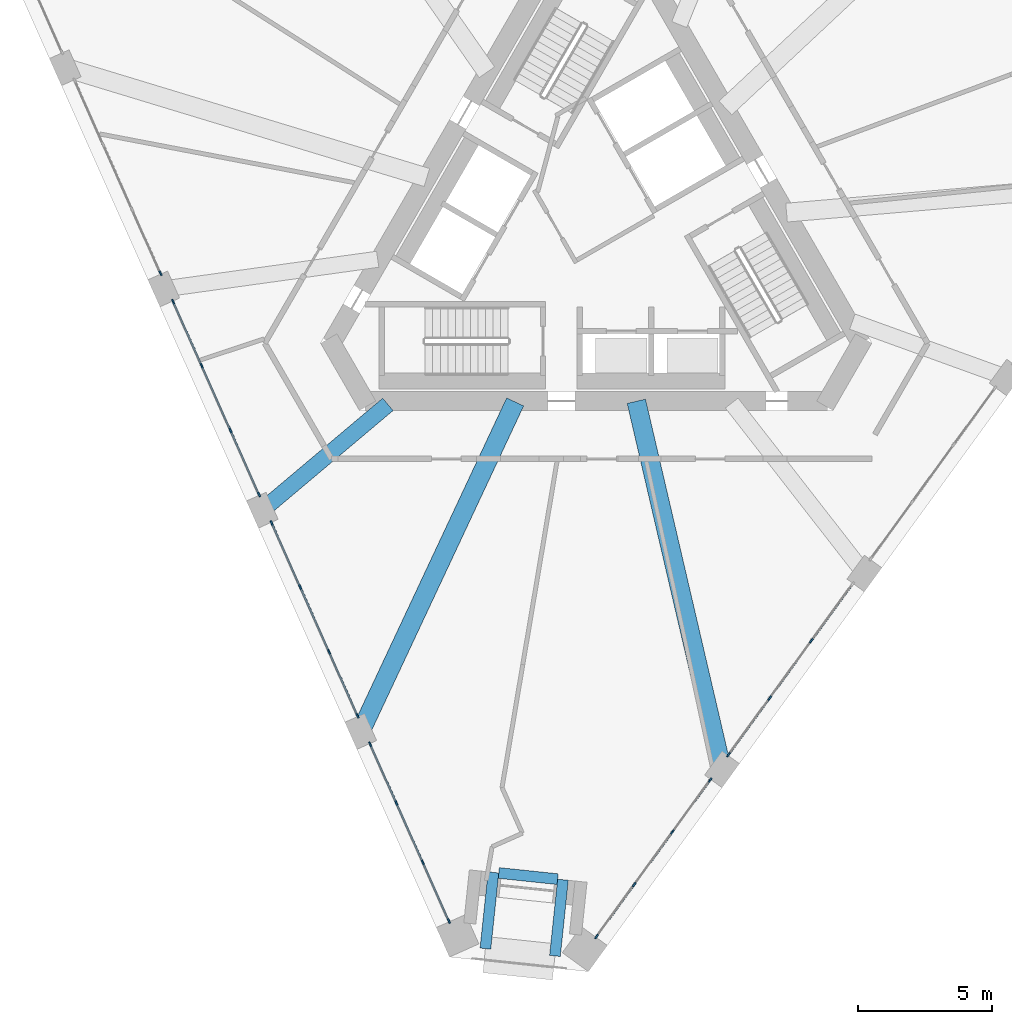
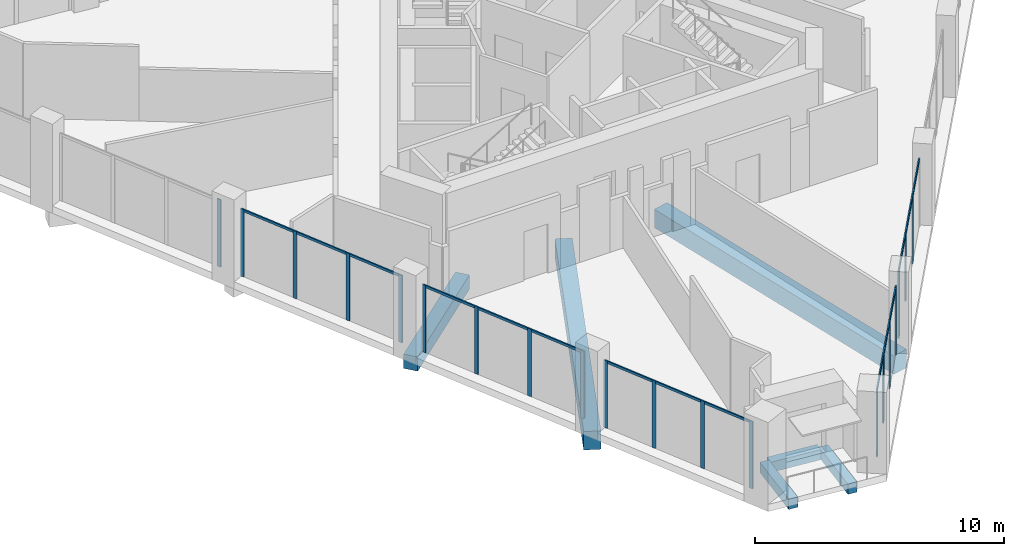
# One storey, part 2 of 15: 35 members, 6 beams, 6 elements without a shape of their own.
"""IFC4 building model written with IfcOpenShell, lengths in metres."""

from ifc_helpers import new_model, si_unit, direction, frame, origin, origin_2d, place, context, subcontext, project, spatial, rectangle, extrude, material, layer, layer_set, material_profile, profile_set, type_object, element, aggregate, save


model = new_model("IFC4")

# Units and contexts
model_context = context("Model", 3, precision=1e-05, world=origin(), true_north=direction((0.0, 1.0)))
body_context = subcontext(model_context, "Body", "Model", "MODEL_VIEW")
ifc_project = project(units=[si_unit("LENGTHUNIT", "METRE"), si_unit("AREAUNIT", "SQUARE_METRE"), si_unit("VOLUMEUNIT", "CUBIC_METRE"), si_unit("PLANEANGLEUNIT", "RADIAN"), si_unit("MASSUNIT", "GRAM", prefix="KILO")], contexts=[model_context])

# Site, building, storey
site_placement = place(None, origin())
site = spatial("IfcSite", under=ifc_project, at=site_placement, CompositionType="ELEMENT")
building_placement = place(site_placement, origin())
building = spatial("IfcBuilding", under=site, at=building_placement, Name="Tramontana Tower", CompositionType="ELEMENT")
storey_placement = place(building_placement, frame((0.0, 0.0, 237.199951171875)))
storey = spatial("IfcBuildingStorey", under=building, at=storey_placement, Name="L55", CompositionType="ELEMENT", Elevation=237.199951171875)

# Curtain wall, member
ifc_material_1 = material(Name="Aluminum extrusion", Category="aluminium")
ifc_layer = layer(ifc_material_1, 0.14990234375)
ifc_layer_set = layer_set([ifc_layer], Name="CW4 Sky lobby 2 curtain wall")
curtain_wall_type = type_object("IfcCurtainWallType", Name="CW4 Sky lobby 2 curtain wall", PredefinedType="NOTDEFINED", material=ifc_layer_set)
curtain_wall_1_placement = place(storey_placement, origin())
curtain_wall_1 = element("IfcCurtainWall", 1, at=curtain_wall_1_placement, inside=storey, type_object=curtain_wall_type, Name="CW4 curtain wall L55 face 0 bay 2", PredefinedType="NOTDEFINED")
ifc_material_2 = material(Name="Aluminum extrusion", Category="aluminium")
ifc_material_profile_1 = material_profile(ifc_material_2, rectangle(XDim=0.06005859375, YDim=0.179931640625, at=origin_2d()), Name="CW4-M Mullion 60 x 180")
ifc_profile_set_1 = profile_set([ifc_material_profile_1], Name="Aluminum extrusion")
member_type_1 = type_object("IfcMemberType", Name="CW4-M Mullion 60 x 180", PredefinedType="MULLION", material=ifc_profile_set_1)
member_1_placement = place(storey_placement, frame((-16.20458984375, -1.650390625, 0.0), z_axis=(0.0, 0.0, 1.0), x_axis=(0.913545457643, 0.406736643076, 0.0)))
member_1 = element("IfcMember", 2, at=member_1_placement, type_object=member_type_1, Name="CW4 curtain wall L55 face 0 bay 2 mullion 4", PredefinedType="MULLION", context=body_context, shape_type="SweptSolid", body=[
    extrude(rectangle(XDim=0.06005859375, YDim=0.179931640625, at=origin_2d()), origin(), (0.0, 0.0, 1.0), 3.300048828125),
])
aggregate(curtain_wall_1, [member_1])

# Curtain wall, members
curtain_wall_2_placement = place(storey_placement, origin())
curtain_wall_2 = element("IfcCurtainWall", 3, at=curtain_wall_2_placement, inside=storey, type_object=curtain_wall_type, Name="CW4 curtain wall L55 face 0 bay 3", PredefinedType="NOTDEFINED")
member_2_placement = place(storey_placement, frame((-15.73291015625, -2.710205078125, 0.0), z_axis=(0.0, 0.0, 1.0), x_axis=(0.913545457643, 0.406736643076, 0.0)))
member_2 = element("IfcMember", 4, at=member_2_placement, type_object=member_type_1, Name="CW4 curtain wall L55 face 0 bay 3 mullion 1", PredefinedType="MULLION", context=body_context, shape_type="SweptSolid", body=[
    extrude(rectangle(XDim=0.06005859375, YDim=0.179931640625, at=origin_2d()), origin(), (0.0, 0.0, 1.0), 3.300048828125),
])
member_3_placement = place(storey_placement, frame((-14.673095703125, -5.09033203125, 0.0), z_axis=(0.0, 0.0, 1.0), x_axis=(0.913545457643, 0.406736643076, 0.0)))
member_3 = element("IfcMember", 5, at=member_3_placement, type_object=member_type_1, Name="CW4 curtain wall L55 face 0 bay 3 mullion 2", PredefinedType="MULLION", context=body_context, shape_type="SweptSolid", body=[
    extrude(rectangle(XDim=0.06005859375, YDim=0.179931640625, at=origin_2d()), origin(), (0.0, 0.0, 1.0), 3.300048828125),
])
member_4_placement = place(storey_placement, frame((-13.60107421875, -7.498046875, 0.0), z_axis=(0.0, 0.0, 1.0), x_axis=(0.913545457643, 0.406736643076, 0.0)))
member_4 = element("IfcMember", 6, at=member_4_placement, type_object=member_type_1, Name="CW4 curtain wall L55 face 0 bay 3 mullion 3", PredefinedType="MULLION", context=body_context, shape_type="SweptSolid", body=[
    extrude(rectangle(XDim=0.06005859375, YDim=0.179931640625, at=origin_2d()), origin(), (0.0, 0.0, 1.0), 3.300048828125),
])
member_5_placement = place(storey_placement, frame((-12.541259765625, -9.87841796875, 0.0), z_axis=(0.0, 0.0, 1.0), x_axis=(0.913545457643, 0.406736643076, 0.0)))
member_5 = element("IfcMember", 7, at=member_5_placement, type_object=member_type_1, Name="CW4 curtain wall L55 face 0 bay 3 mullion 4", PredefinedType="MULLION", context=body_context, shape_type="SweptSolid", body=[
    extrude(rectangle(XDim=0.06005859375, YDim=0.179931640625, at=origin_2d()), origin(), (0.0, 0.0, 1.0), 3.300048828125),
])

curtain_wall_3_placement = place(storey_placement, origin())
curtain_wall_3 = element("IfcCurtainWall", 8, at=curtain_wall_3_placement, inside=storey, type_object=curtain_wall_type, Name="CW4 curtain wall L55 face 0 bay 4", PredefinedType="NOTDEFINED")
member_6_placement = place(storey_placement, frame((-12.069580078125, -10.93798828125, 0.0), z_axis=(0.0, 0.0, 1.0), x_axis=(0.913545457643, 0.406736643076, 0.0)))
member_6 = element("IfcMember", 9, at=member_6_placement, type_object=member_type_1, Name="CW4 curtain wall L55 face 0 bay 4 mullion 1", PredefinedType="MULLION", context=body_context, shape_type="SweptSolid", body=[
    extrude(rectangle(XDim=0.06005859375, YDim=0.179931640625, at=origin_2d()), origin(), (0.0, 0.0, 1.0), 3.300048828125),
])
member_7_placement = place(storey_placement, frame((-11.009765625, -13.318359375, 0.0), z_axis=(0.0, 0.0, 1.0), x_axis=(0.913545457643, 0.406736643076, 0.0)))
member_7 = element("IfcMember", 10, at=member_7_placement, type_object=member_type_1, Name="CW4 curtain wall L55 face 0 bay 4 mullion 2", PredefinedType="MULLION", context=body_context, shape_type="SweptSolid", body=[
    extrude(rectangle(XDim=0.06005859375, YDim=0.179931640625, at=origin_2d()), origin(), (0.0, 0.0, 1.0), 3.300048828125),
])
member_8_placement = place(storey_placement, frame((-9.937744140625, -15.72607421875, 0.0), z_axis=(0.0, 0.0, 1.0), x_axis=(0.913545457643, 0.406736643076, 0.0)))
member_8 = element("IfcMember", 11, at=member_8_placement, type_object=member_type_1, Name="CW4 curtain wall L55 face 0 bay 4 mullion 3", PredefinedType="MULLION", context=body_context, shape_type="SweptSolid", body=[
    extrude(rectangle(XDim=0.06005859375, YDim=0.179931640625, at=origin_2d()), origin(), (0.0, 0.0, 1.0), 3.300048828125),
])
member_9_placement = place(storey_placement, frame((-8.8779296875, -18.1064453125, 0.0), z_axis=(0.0, 0.0, 1.0), x_axis=(0.913545457643, 0.406736643076, 0.0)))
member_9 = element("IfcMember", 12, at=member_9_placement, type_object=member_type_1, Name="CW4 curtain wall L55 face 0 bay 4 mullion 4", PredefinedType="MULLION", context=body_context, shape_type="SweptSolid", body=[
    extrude(rectangle(XDim=0.06005859375, YDim=0.179931640625, at=origin_2d()), origin(), (0.0, 0.0, 1.0), 3.300048828125),
])

curtain_wall_4_placement = place(storey_placement, origin())
curtain_wall_4 = element("IfcCurtainWall", 13, at=curtain_wall_4_placement, inside=storey, type_object=curtain_wall_type, Name="CW4 curtain wall L55 face 0 bay 5", PredefinedType="NOTDEFINED")
member_10_placement = place(storey_placement, frame((-8.40625, -19.166015625, 0.0), z_axis=(0.0, 0.0, 1.0), x_axis=(0.913545457643, 0.406736643076, 0.0)))
member_10 = element("IfcMember", 14, at=member_10_placement, type_object=member_type_1, Name="CW4 curtain wall L55 face 0 bay 5 mullion 1", PredefinedType="MULLION", context=body_context, shape_type="SweptSolid", body=[
    extrude(rectangle(XDim=0.06005859375, YDim=0.179931640625, at=origin_2d()), origin(), (0.0, 0.0, 1.0), 3.300048828125),
])
member_11_placement = place(storey_placement, frame((-7.4345703125, -21.348388671875, 0.0), z_axis=(0.0, 0.0, 1.0), x_axis=(0.913545457643, 0.406736643076, 0.0)))
member_11 = element("IfcMember", 15, at=member_11_placement, type_object=member_type_1, Name="CW4 curtain wall L55 face 0 bay 5 mullion 2", PredefinedType="MULLION", context=body_context, shape_type="SweptSolid", body=[
    extrude(rectangle(XDim=0.06005859375, YDim=0.179931640625, at=origin_2d()), origin(), (0.0, 0.0, 1.0), 3.300048828125),
])
member_12_placement = place(storey_placement, frame((-6.45068359375, -23.55810546875, 0.0), z_axis=(0.0, 0.0, 1.0), x_axis=(0.913545457643, 0.406736643076, 0.0)))
member_12 = element("IfcMember", 16, at=member_12_placement, type_object=member_type_1, Name="CW4 curtain wall L55 face 0 bay 5 mullion 3", PredefinedType="MULLION", context=body_context, shape_type="SweptSolid", body=[
    extrude(rectangle(XDim=0.06005859375, YDim=0.179931640625, at=origin_2d()), origin(), (0.0, 0.0, 1.0), 3.300048828125),
])
member_13_placement = place(storey_placement, frame((-5.47900390625, -25.740478515625, 0.0), z_axis=(0.0, 0.0, 1.0), x_axis=(0.913545457643, 0.406736643076, 0.0)))
member_13 = element("IfcMember", 17, at=member_13_placement, type_object=member_type_1, Name="CW4 curtain wall L55 face 0 bay 5 mullion 4", PredefinedType="MULLION", context=body_context, shape_type="SweptSolid", body=[
    extrude(rectangle(XDim=0.06005859375, YDim=0.179931640625, at=origin_2d()), origin(), (0.0, 0.0, 1.0), 3.300048828125),
])

curtain_wall_5_placement = place(storey_placement, origin())
curtain_wall_5 = element("IfcCurtainWall", 18, at=curtain_wall_5_placement, inside=storey, type_object=curtain_wall_type, Name="CW4 curtain wall L55 face 1 bay 1", PredefinedType="NOTDEFINED")
member_14_placement = place(storey_placement, frame((0.007568359375, -26.317138671875, 0.0), z_axis=(0.0, 0.0, 1.0), x_axis=(-0.809016994375, 0.587785252292, 0.0)))
member_14 = element("IfcMember", 19, at=member_14_placement, type_object=member_type_1, Name="CW4 curtain wall L55 face 1 bay 1 mullion 1", PredefinedType="MULLION", context=body_context, shape_type="SweptSolid", body=[
    extrude(rectangle(XDim=0.06005859375, YDim=0.179931640625, at=origin_2d()), origin(), (0.0, 0.0, 1.0), 3.300048828125),
])
member_15_placement = place(storey_placement, frame((1.41162109375, -24.384521484375, 0.0), z_axis=(0.0, 0.0, 1.0), x_axis=(-0.809016994375, 0.587785252292, 0.0)))
member_15 = element("IfcMember", 20, at=member_15_placement, type_object=member_type_1, Name="CW4 curtain wall L55 face 1 bay 1 mullion 2", PredefinedType="MULLION", context=body_context, shape_type="SweptSolid", body=[
    extrude(rectangle(XDim=0.06005859375, YDim=0.179931640625, at=origin_2d()), origin(), (0.0, 0.0, 1.0), 3.300048828125),
])
member_16_placement = place(storey_placement, frame((2.83349609375, -22.427734375, 0.0), z_axis=(0.0, 0.0, 1.0), x_axis=(-0.809016994375, 0.587785252292, 0.0)))
member_16 = element("IfcMember", 21, at=member_16_placement, type_object=member_type_1, Name="CW4 curtain wall L55 face 1 bay 1 mullion 3", PredefinedType="MULLION", context=body_context, shape_type="SweptSolid", body=[
    extrude(rectangle(XDim=0.06005859375, YDim=0.179931640625, at=origin_2d()), origin(), (0.0, 0.0, 1.0), 3.300048828125),
])
member_17_placement = place(storey_placement, frame((4.237548828125, -20.4951171875, 0.0), z_axis=(0.0, 0.0, 1.0), x_axis=(-0.809016994375, 0.587785252292, 0.0)))
member_17 = element("IfcMember", 22, at=member_17_placement, type_object=member_type_1, Name="CW4 curtain wall L55 face 1 bay 1 mullion 4", PredefinedType="MULLION", context=body_context, shape_type="SweptSolid", body=[
    extrude(rectangle(XDim=0.06005859375, YDim=0.179931640625, at=origin_2d()), origin(), (0.0, 0.0, 1.0), 3.300048828125),
])

curtain_wall_6_placement = place(storey_placement, origin())
curtain_wall_6 = element("IfcCurtainWall", 23, at=curtain_wall_6_placement, inside=storey, type_object=curtain_wall_type, Name="CW4 curtain wall L55 face 1 bay 2", PredefinedType="NOTDEFINED")
member_18_placement = place(storey_placement, frame((4.91943359375, -19.556640625, 0.0), z_axis=(0.0, 0.0, 1.0), x_axis=(-0.809016994375, 0.587785252292, 0.0)))
member_18 = element("IfcMember", 24, at=member_18_placement, type_object=member_type_1, Name="CW4 curtain wall L55 face 1 bay 2 mullion 1", PredefinedType="MULLION", context=body_context, shape_type="SweptSolid", body=[
    extrude(rectangle(XDim=0.06005859375, YDim=0.179931640625, at=origin_2d()), origin(), (0.0, 0.0, 1.0), 3.300048828125),
])
member_19_placement = place(storey_placement, frame((6.450927734375, -17.44873046875, 0.0), z_axis=(0.0, 0.0, 1.0), x_axis=(-0.809016994375, 0.587785252292, 0.0)))
member_19 = element("IfcMember", 25, at=member_19_placement, type_object=member_type_1, Name="CW4 curtain wall L55 face 1 bay 2 mullion 2", PredefinedType="MULLION", context=body_context, shape_type="SweptSolid", body=[
    extrude(rectangle(XDim=0.06005859375, YDim=0.179931640625, at=origin_2d()), origin(), (0.0, 0.0, 1.0), 3.300048828125),
])
member_20_placement = place(storey_placement, frame((8.000244140625, -15.31640625, 0.0), z_axis=(0.0, 0.0, 1.0), x_axis=(-0.809016994375, 0.587785252292, 0.0)))
member_20 = element("IfcMember", 26, at=member_20_placement, type_object=member_type_1, Name="CW4 curtain wall L55 face 1 bay 2 mullion 3", PredefinedType="MULLION", context=body_context, shape_type="SweptSolid", body=[
    extrude(rectangle(XDim=0.06005859375, YDim=0.179931640625, at=origin_2d()), origin(), (0.0, 0.0, 1.0), 3.300048828125),
])

# Member
ifc_material_3 = material(Name="Aluminum extrusion", Category="aluminium")
ifc_material_profile_2 = material_profile(ifc_material_3, rectangle(XDim=0.06005859375, YDim=0.1201171875, at=origin_2d()), Name="CW4-T Transom 60 x 120")
ifc_profile_set_2 = profile_set([ifc_material_profile_2], Name="Aluminum extrusion")
member_type_2 = type_object("IfcMemberType", Name="CW4-T Transom 60 x 120", PredefinedType="USERDEFINED", material=ifc_profile_set_2)
member_21_placement = place(storey_placement, frame((-15.720703125, -2.737548828125, 3.239990234375), z_axis=(0.406752393228, -0.91353844506, 0.0), x_axis=(0.91353844506, 0.406752393228, 0.0)))
member_21 = element("IfcMember", 27, at=member_21_placement, type_object=member_type_2, Name="CW4 curtain wall L55 face 0 bay 3 transom 1.1", ObjectType="TRANSOM", PredefinedType="USERDEFINED", context=body_context, shape_type="SweptSolid", body=[
    extrude(rectangle(XDim=0.06005859375, YDim=0.1201171875, at=origin_2d()), origin(), (0.0, 0.0, 1.0), 2.54541015625),
])

member_22_placement = place(storey_placement, frame((-14.660888671875, -5.117919921875, 3.239990234375), z_axis=(0.406762841657, -0.913533792833, 0.0), x_axis=(0.913533792833, 0.406762841657, 0.0)))
member_22 = element("IfcMember", 28, at=member_22_placement, type_object=member_type_2, Name="CW4 curtain wall L55 face 0 bay 3 transom 2.1", ObjectType="TRANSOM", PredefinedType="USERDEFINED", context=body_context, shape_type="SweptSolid", body=[
    extrude(rectangle(XDim=0.06005859375, YDim=0.1201171875, at=origin_2d()), origin(), (0.0, 0.0, 1.0), 2.575439453125),
])

member_23_placement = place(storey_placement, frame((-13.5888671875, -7.525390625, 3.239990234375), z_axis=(0.406716757593, -0.913554310971, 0.0), x_axis=(0.913554310971, 0.406716757593, 0.0)))
member_23 = element("IfcMember", 29, at=member_23_placement, type_object=member_type_2, Name="CW4 curtain wall L55 face 0 bay 3 transom 3.1", ObjectType="TRANSOM", PredefinedType="USERDEFINED", context=body_context, shape_type="SweptSolid", body=[
    extrude(rectangle(XDim=0.06005859375, YDim=0.1201171875, at=origin_2d()), origin(), (0.0, 0.0, 1.0), 2.545654296875),
])

aggregate(curtain_wall_2, [member_2, member_3, member_4, member_5, member_21, member_22, member_23])

member_24_placement = place(storey_placement, frame((-12.057373046875, -10.965576171875, 3.239990234375), z_axis=(0.406752393228, -0.91353844506, 0.0), x_axis=(0.91353844506, 0.406752393228, 0.0)))
member_24 = element("IfcMember", 30, at=member_24_placement, type_object=member_type_2, Name="CW4 curtain wall L55 face 0 bay 4 transom 1.1", ObjectType="TRANSOM", PredefinedType="USERDEFINED", context=body_context, shape_type="SweptSolid", body=[
    extrude(rectangle(XDim=0.06005859375, YDim=0.1201171875, at=origin_2d()), origin(), (0.0, 0.0, 1.0), 2.54541015625),
])

member_25_placement = place(storey_placement, frame((-10.99755859375, -13.345703125, 3.239990234375), z_axis=(0.406727619595, -0.913549475102, 0.0), x_axis=(0.913549475102, 0.406727619595, 0.0)))
member_25 = element("IfcMember", 31, at=member_25_placement, type_object=member_type_2, Name="CW4 curtain wall L55 face 0 bay 4 transom 2.1", ObjectType="TRANSOM", PredefinedType="USERDEFINED", context=body_context, shape_type="SweptSolid", body=[
    extrude(rectangle(XDim=0.06005859375, YDim=0.1201171875, at=origin_2d()), origin(), (0.0, 0.0, 1.0), 2.57568359375),
])

member_26_placement = place(storey_placement, frame((-9.925537109375, -15.75341796875, 3.239990234375), z_axis=(0.406716757593, -0.913554310971, 0.0), x_axis=(0.913554310971, 0.406716757593, 0.0)))
member_26 = element("IfcMember", 32, at=member_26_placement, type_object=member_type_2, Name="CW4 curtain wall L55 face 0 bay 4 transom 3.1", ObjectType="TRANSOM", PredefinedType="USERDEFINED", context=body_context, shape_type="SweptSolid", body=[
    extrude(rectangle(XDim=0.06005859375, YDim=0.1201171875, at=origin_2d()), origin(), (0.0, 0.0, 1.0), 2.545654296875),
])

aggregate(curtain_wall_3, [member_6, member_7, member_8, member_9, member_24, member_25, member_26])

member_27_placement = place(storey_placement, frame((-8.39404296875, -19.193603515625, 3.239990234375), z_axis=(0.406760898853, -0.913534657889, 0.0), x_axis=(0.913534657889, 0.406760898853, 0.0)))
member_27 = element("IfcMember", 33, at=member_27_placement, type_object=member_type_2, Name="CW4 curtain wall L55 face 0 bay 5 transom 1.1", ObjectType="TRANSOM", PredefinedType="USERDEFINED", context=body_context, shape_type="SweptSolid", body=[
    extrude(rectangle(XDim=0.06005859375, YDim=0.1201171875, at=origin_2d()), origin(), (0.0, 0.0, 1.0), 2.328857421875),
])

member_28_placement = place(storey_placement, frame((-7.42236328125, -21.3759765625, 3.239990234375), z_axis=(0.406772199281, -0.913529626171, 0.0), x_axis=(0.913529626171, 0.406772199281, 0.0)))
member_28 = element("IfcMember", 34, at=member_28_placement, type_object=member_type_2, Name="CW4 curtain wall L55 face 0 bay 5 transom 2.1", ObjectType="TRANSOM", PredefinedType="USERDEFINED", context=body_context, shape_type="SweptSolid", body=[
    extrude(rectangle(XDim=0.06005859375, YDim=0.1201171875, at=origin_2d()), origin(), (0.0, 0.0, 1.0), 2.358642578125),
])

member_29_placement = place(storey_placement, frame((-6.4384765625, -23.585693359375, 3.239990234375), z_axis=(0.406760898853, -0.913534657889, 0.0), x_axis=(0.913534657889, 0.406760898853, 0.0)))
member_29 = element("IfcMember", 35, at=member_29_placement, type_object=member_type_2, Name="CW4 curtain wall L55 face 0 bay 5 transom 3.1", ObjectType="TRANSOM", PredefinedType="USERDEFINED", context=body_context, shape_type="SweptSolid", body=[
    extrude(rectangle(XDim=0.06005859375, YDim=0.1201171875, at=origin_2d()), origin(), (0.0, 0.0, 1.0), 2.328857421875),
])

aggregate(curtain_wall_4, [member_10, member_11, member_12, member_13, member_27, member_28, member_29])

member_30_placement = place(storey_placement, frame((0.025146484375, -26.29296875, 3.239990234375), z_axis=(0.587803868086, 0.809003468882, 0.0), x_axis=(-0.809003468882, 0.587803868086, 0.0)))
member_30 = element("IfcMember", 36, at=member_30_placement, type_object=member_type_2, Name="CW4 curtain wall L55 face 1 bay 1 transom 1.1", ObjectType="TRANSOM", PredefinedType="USERDEFINED", context=body_context, shape_type="SweptSolid", body=[
    extrude(rectangle(XDim=0.06005859375, YDim=0.1201171875, at=origin_2d()), origin(), (0.0, 0.0, 1.0), 2.328857421875),
])

member_31_placement = place(storey_placement, frame((1.429443359375, -24.3603515625, 3.239990234375), z_axis=(0.587759311673, 0.809035840703, 0.0), x_axis=(-0.809035840703, 0.587759311673, 0.0)))
member_31 = element("IfcMember", 37, at=member_31_placement, type_object=member_type_2, Name="CW4 curtain wall L55 face 1 bay 1 transom 2.1", ObjectType="TRANSOM", PredefinedType="USERDEFINED", context=body_context, shape_type="SweptSolid", body=[
    extrude(rectangle(XDim=0.06005859375, YDim=0.1201171875, at=origin_2d()), origin(), (0.0, 0.0, 1.0), 2.35888671875),
])

member_32_placement = place(storey_placement, frame((2.85107421875, -22.4033203125, 3.239990234375), z_axis=(0.587803868086, 0.809003468882, 0.0), x_axis=(-0.809003468882, 0.587803868086, 0.0)))
member_32 = element("IfcMember", 38, at=member_32_placement, type_object=member_type_2, Name="CW4 curtain wall L55 face 1 bay 1 transom 3.1", ObjectType="TRANSOM", PredefinedType="USERDEFINED", context=body_context, shape_type="SweptSolid", body=[
    extrude(rectangle(XDim=0.06005859375, YDim=0.1201171875, at=origin_2d()), origin(), (0.0, 0.0, 1.0), 2.328857421875),
])

aggregate(curtain_wall_5, [member_14, member_15, member_16, member_17, member_30, member_31, member_32])

member_33_placement = place(storey_placement, frame((4.93701171875, -19.5322265625, 3.239990234375), z_axis=(0.587823780198, 0.808989000811, 0.0), x_axis=(-0.808989000811, 0.587823780198, 0.0)))
member_33 = element("IfcMember", 39, at=member_33_placement, type_object=member_type_2, Name="CW4 curtain wall L55 face 1 bay 2 transom 1.1", ObjectType="TRANSOM", PredefinedType="USERDEFINED", context=body_context, shape_type="SweptSolid", body=[
    extrude(rectangle(XDim=0.06005859375, YDim=0.1201171875, at=origin_2d()), origin(), (0.0, 0.0, 1.0), 2.545654296875),
])

member_34_placement = place(storey_placement, frame((6.468505859375, -17.42431640625, 3.239990234375), z_axis=(0.587782741134, 0.809018818832, 0.0), x_axis=(-0.809018818832, 0.587782741134, 0.0)))
member_34 = element("IfcMember", 40, at=member_34_placement, type_object=member_type_2, Name="CW4 curtain wall L55 face 1 bay 2 transom 2.1", ObjectType="TRANSOM", PredefinedType="USERDEFINED", context=body_context, shape_type="SweptSolid", body=[
    extrude(rectangle(XDim=0.06005859375, YDim=0.1201171875, at=origin_2d()), origin(), (0.0, 0.0, 1.0), 2.57568359375),
])

member_35_placement = place(storey_placement, frame((8.017822265625, -15.292236328125, 3.239990234375), z_axis=(0.587715399918, 0.809067740488, 0.0), x_axis=(-0.809067740488, 0.587715399918, 0.0)))
member_35 = element("IfcMember", 41, at=member_35_placement, type_object=member_type_2, Name="CW4 curtain wall L55 face 1 bay 2 transom 3.1", ObjectType="TRANSOM", PredefinedType="USERDEFINED", context=body_context, shape_type="SweptSolid", body=[
    extrude(rectangle(XDim=0.06005859375, YDim=0.1201171875, at=origin_2d()), origin(), (0.0, 0.0, 1.0), 2.545654296875),
])

aggregate(curtain_wall_6, [member_18, member_19, member_20, member_33, member_34, member_35])

# Beams
ifc_material_4 = material(Name="Concrete 40 MPa", Category="concrete")
ifc_material_profile_3 = material_profile(ifc_material_4, rectangle(XDim=0.60009765625, YDim=0.699951171875, at=origin_2d()), Name="RC GIRDER 600X700 40 MPa")
ifc_profile_set_3 = profile_set([ifc_material_profile_3], Name="Concrete 40 MPa")
beam_type_1 = type_object("IfcBeamType", Name="RC GIRDER 600X700 40 MPa", PredefinedType="BEAM", material=ifc_profile_set_3)
beam_1_placement = place(storey_placement, frame((-12.419677734375, -10.458984375, -0.699951171875), z_axis=(0.7648987601, 0.644150515638, 0.0), x_axis=(-0.644150515638, 0.7648987601, 0.0)))
element("IfcBeam", 42, at=beam_1_placement, inside=storey, type_object=beam_type_1, Name="Radial girder C6F03 L55", PredefinedType="BEAM", context=body_context, shape_type="SweptSolid", body=[
    extrude(rectangle(XDim=0.60009765625, YDim=0.699951171875, at=origin_2d()), origin(), (0.0, 0.0, 1.0), 6.108154296875),
])
ifc_material_5 = material(Name="Concrete 40 MPa", Category="concrete")
ifc_material_profile_4 = material_profile(ifc_material_5, rectangle(XDim=0.699951171875, YDim=0.89990234375, at=origin_2d()), Name="RC GIRDER 700X900 40 MPa")
ifc_profile_set_4 = profile_set([ifc_material_profile_4], Name="Concrete 40 MPa")
beam_type_2 = type_object("IfcBeamType", Name="RC GIRDER 700X900 40 MPa", PredefinedType="BEAM", material=ifc_profile_set_4)
beam_2_placement = place(storey_placement, frame((-8.75634765625, -18.68701171875, -0.800048828125), z_axis=(0.424308147915, 0.90551786046, 0.0), x_axis=(-0.90551786046, 0.424308147915, 0.0)))
element("IfcBeam", 43, at=beam_2_placement, inside=storey, type_object=beam_type_2, Name="Radial girder C6F04 L55", PredefinedType="BEAM", context=body_context, shape_type="SweptSolid", body=[
    extrude(rectangle(XDim=0.699951171875, YDim=0.89990234375, at=origin_2d()), origin(), (0.0, 0.0, 1.0), 13.532470703125),
])
beam_3_placement = place(storey_placement, frame((4.6796875, -20.099365234375, -0.800048828125), z_axis=(-0.22676563163, 0.973949356133, 0.0), x_axis=(-0.973949356133, -0.22676563163, 0.0)))
element("IfcBeam", 44, at=beam_3_placement, inside=storey, type_object=beam_type_2, Name="Radial girder C6F05 L55", PredefinedType="BEAM", context=body_context, shape_type="SweptSolid", body=[
    extrude(rectangle(XDim=0.699951171875, YDim=0.89990234375, at=origin_2d()), origin(), (0.0, 0.0, 1.0), 14.056396484375),
])
ifc_material_6 = material(Name="Concrete 40 MPa", Category="concrete")
ifc_material_profile_5 = material_profile(ifc_material_6, rectangle(XDim=0.39990234375, YDim=0.5, at=origin_2d()), Name="RC TRIM BEAM 400X500 40 MPa")
ifc_profile_set_5 = profile_set([ifc_material_profile_5], Name="Concrete 40 MPa")
beam_type_3 = type_object("IfcBeamType", Name="RC TRIM BEAM 400X500 40 MPa", PredefinedType="JOIST", material=ifc_profile_set_5)
beam_4_placement = place(storey_placement, frame((-3.62353515625, -23.952392578125, -0.599853515625), z_axis=(0.994521251134, -0.104534592565, 0.0), x_axis=(0.104534592565, 0.994521251134, 0.0)))
element("IfcBeam", 45, at=beam_4_placement, inside=storey, type_object=beam_type_3, Name="Trimmer beam K1 L55", PredefinedType="JOIST", context=body_context, shape_type="SweptSolid", body=[
    extrude(rectangle(XDim=0.39990234375, YDim=0.5, at=origin_2d()), origin(), (0.0, 0.0, 1.0), 2.199951171875),
])
beam_5_placement = place(storey_placement, frame((-4.120361328125, -26.765869140625, -0.599853515625), z_axis=(0.104506420204, 0.994524211941, 0.0), x_axis=(-0.994524211941, 0.104506420204, 0.0)))
element("IfcBeam", 46, at=beam_5_placement, inside=storey, type_object=beam_type_3, Name="Tray beam K1L L55", PredefinedType="JOIST", context=body_context, shape_type="SweptSolid", body=[
    extrude(rectangle(XDim=0.39990234375, YDim=0.5, at=origin_2d()), origin(), (0.0, 0.0, 1.0), 2.85009765625),
])
beam_6_placement = place(storey_placement, frame((-1.53466796875, -27.03759765625, -0.599853515625), z_axis=(0.104515324063, 0.994523276267, 0.0), x_axis=(-0.994523276267, 0.104515324063, 0.0)))
element("IfcBeam", 47, at=beam_6_placement, inside=storey, type_object=beam_type_3, Name="Tray beam K1R L55", PredefinedType="JOIST", context=body_context, shape_type="SweptSolid", body=[
    extrude(rectangle(XDim=0.39990234375, YDim=0.5, at=origin_2d()), origin(), (0.0, 0.0, 1.0), 2.849853515625),
])

save(model, "model.ifc")
